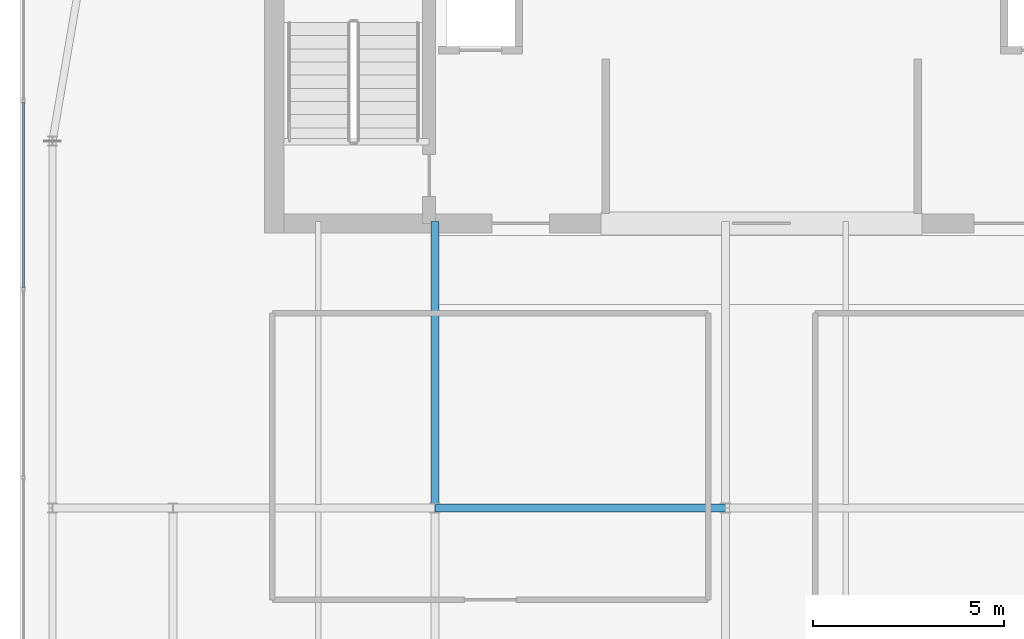
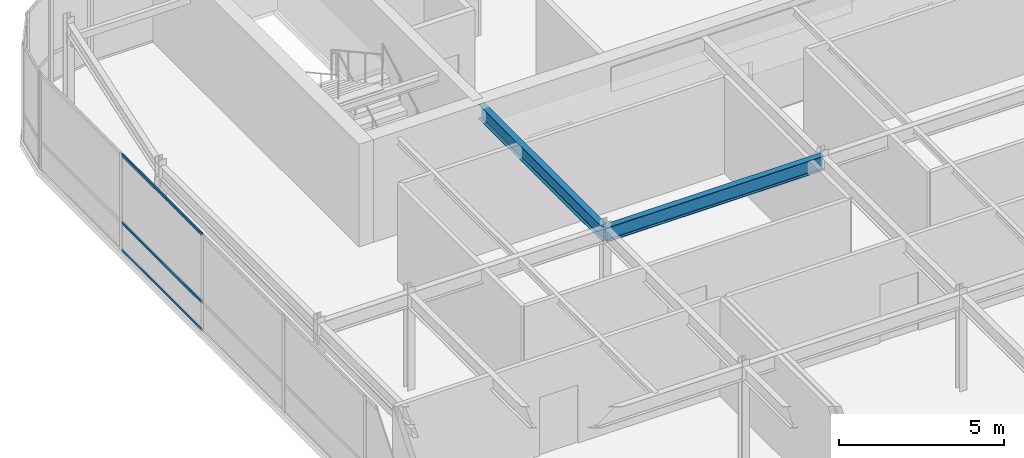
# One storey, part 18 of 36: 3 members, 2 beams, 1 element without a shape of its own.
"""IFC4 building model written with IfcOpenShell, lengths in metres."""

from ifc_helpers import new_model, si_unit, direction, frame, origin, origin_2d, place, context, subcontext, project, spatial, hollow_rectangle, i_section, extrude, source, transform, mapped, material, layer, layer_set, material_profile, profile_set, type_object, type_shapes, element, aggregate, save


model = new_model("IFC4")

# Units and contexts
model_context = context("Model", 3, precision=1e-05, world=origin(), true_north=direction((0.0, 1.0)))
body_context = subcontext(model_context, "Body", "Model", "MODEL_VIEW")
ifc_project = project(units=[si_unit("LENGTHUNIT", "METRE"), si_unit("AREAUNIT", "SQUARE_METRE"), si_unit("VOLUMEUNIT", "CUBIC_METRE"), si_unit("PLANEANGLEUNIT", "RADIAN"), si_unit("MASSUNIT", "GRAM", prefix="KILO")], contexts=[model_context])

# Site, building, storey
site_placement = place(None, origin())
site = spatial("IfcSite", under=ifc_project, at=site_placement, CompositionType="ELEMENT")
building_placement = place(site_placement, origin())
building = spatial("IfcBuilding", under=site, at=building_placement, Name="Tolvann Quenvar Hotel", CompositionType="ELEMENT")
storey_placement = place(building_placement, frame((0.0, 0.0, 302.35009765625)))
storey = spatial("IfcBuildingStorey", under=building, at=storey_placement, Name="L80", CompositionType="ELEMENT", Elevation=302.35009765625)

# Beams
ifc_material_1 = material(Name="Steel Grade 350", Category="steel")
ifc_material_profile_1 = material_profile(ifc_material_1, i_section(OverallWidth=0.208984375, OverallDepth=0.532958984375, WebThickness=0.01025390625, FlangeThickness=0.015625, FilletRadius=0.013916015625, at=origin_2d()), Name="530UB92")
ifc_profile_set_1 = profile_set([ifc_material_profile_1], Name="Steel Grade 350")
beam_type = type_object("IfcBeamType", Name="BM_GIRD_530UB92", PredefinedType="BEAM", material=ifc_profile_set_1)
shared_shape_1 = source(origin(), body_context, "Body", "SweptSolid", [
    extrude(i_section(OverallWidth=0.208984375, OverallDepth=0.532958984375, WebThickness=0.01025390625, FlangeThickness=0.015625, FilletRadius=0.013916015625, at=origin_2d()), origin(), (0.0, 0.0, 1.0), 7.60009765625),
])
beam_1_placement = place(storey_placement, frame((14.449951171875, 24.39990234375, 3.3134765625), z_axis=(1.0, 0.0, 0.0), x_axis=(0.0, 1.0, 0.0)))
element("IfcBeam", 1, at=beam_1_placement, inside=storey, type_object=beam_type, Name="BM-L80-EW-5-D5-E5", PredefinedType="BEAM", context=body_context, shape_type="MappedRepresentation", body=[
    mapped(shared_shape_1, transform((0.0, 0.0, 0.0), x_axis=(1.0, 0.0, 0.0), y_axis=(0.0, 1.0, 0.0), z_axis=(0.0, 0.0, 1.0), scale=1.0)),
])
shared_shape_2 = source(origin(), body_context, "Body", "SweptSolid", [
    extrude(i_section(OverallWidth=0.208984375, OverallDepth=0.532958984375, WebThickness=0.01025390625, FlangeThickness=0.015625, FilletRadius=0.013916015625, at=origin_2d()), origin(), (0.0, 0.0, 1.0), 7.5),
])
type_shapes(beam_type, [shared_shape_1, shared_shape_2])
beam_2_placement = place(storey_placement, frame((14.449951171875, 24.39990234375, 3.3134765625), z_axis=(0.0, 1.0, 0.0), x_axis=(-1.0, 0.0, 0.0)))
element("IfcBeam", 2, at=beam_2_placement, inside=storey, type_object=beam_type, Name="BM-L80-CORE-D5", PredefinedType="BEAM", context=body_context, shape_type="MappedRepresentation", body=[
    mapped(shared_shape_2, transform((0.0, 0.0, 0.0), x_axis=(1.0, 0.0, 0.0), y_axis=(0.0, 1.0, 0.0), z_axis=(0.0, 0.0, 1.0), scale=1.0)),
])

# Curtain wall, members
ifc_material_2 = material(Name="Thermally broken anodised architectural aluminium 6063-T6 and laminated low-E glass", Category="aluminium")
ifc_layer = layer(ifc_material_2, 0.179931640625)
ifc_layer_set = layer_set([ifc_layer], Name="Thermally broken anodised architectural aluminium 6063-T6 and laminated low-E glass")
curtain_wall_type = type_object("IfcCurtainWallType", Name="CW_SYS_LANT_06", PredefinedType="USERDEFINED", material=ifc_layer_set)
curtain_wall_placement = place(storey_placement, origin())
curtain_wall = element("IfcCurtainWall", 3, at=curtain_wall_placement, inside=storey, type_object=curtain_wall_type, Name="Curtain Wall CW-LANT-06 (CWR-L80-E19)", ObjectType="UNITISED CURTAIN WALL", PredefinedType="USERDEFINED")
ifc_material_3 = material(Name="Anodised architectural aluminium 6063-T6 framing", Category="aluminium")
ifc_material_profile_2 = material_profile(ifc_material_3, hollow_rectangle(XDim=0.050048828125, YDim=0.10009765625, WallThickness=0.0029296875, at=origin_2d()), Name="100x50x3RHS")
ifc_profile_set_2 = profile_set([ifc_material_profile_2], Name="Anodised architectural aluminium 6063-T6 framing")
member_type = type_object("IfcMemberType", Name="CW_TRAN_100x50", PredefinedType="USERDEFINED", material=ifc_profile_set_2)
shared_shape_3 = source(origin(), body_context, "Body", "SweptSolid", [
    extrude(hollow_rectangle(XDim=0.050048828125, YDim=0.10009765625, WallThickness=0.0029296875, at=origin_2d()), origin(), (0.0, 0.0, 1.0), 4.862548828125),
])
type_shapes(member_type, [shared_shape_3])
member_1_placement = place(storey_placement, frame((3.68994140625, 35.022705078125, 0.02490234375), z_axis=(0.0, -1.0, 0.0), x_axis=(1.0, 0.0, 0.0)))
member_1 = element("IfcMember", 4, at=member_1_placement, type_object=member_type, Name="CW-LANT-06 transom 2.1", ObjectType="TRANSOM", PredefinedType="USERDEFINED", context=body_context, shape_type="MappedRepresentation", body=[
    mapped(shared_shape_3, transform((0.0, 0.0, 0.0), x_axis=(1.0, 0.0, 0.0), y_axis=(0.0, 1.0, 0.0), z_axis=(0.0, 0.0, 1.0), scale=1.0)),
])
member_2_placement = place(storey_placement, frame((3.68994140625, 35.022705078125, 1.0498046875), z_axis=(0.0, -1.0, 0.0), x_axis=(1.0, 0.0, 0.0)))
member_2 = element("IfcMember", 5, at=member_2_placement, type_object=member_type, Name="CW-LANT-06 transom 2.2", ObjectType="TRANSOM", PredefinedType="USERDEFINED", context=body_context, shape_type="MappedRepresentation", body=[
    mapped(shared_shape_3, transform((0.0, 0.0, 0.0), x_axis=(1.0, 0.0, 0.0), y_axis=(0.0, 1.0, 0.0), z_axis=(0.0, 0.0, 1.0), scale=1.0)),
])
member_3_placement = place(storey_placement, frame((3.68994140625, 35.022705078125, 3.554931640625), z_axis=(0.0, -1.0, 0.0), x_axis=(1.0, 0.0, 0.0)))
member_3 = element("IfcMember", 6, at=member_3_placement, type_object=member_type, Name="CW-LANT-06 transom 2.3", ObjectType="TRANSOM", PredefinedType="USERDEFINED", context=body_context, shape_type="MappedRepresentation", body=[
    mapped(shared_shape_3, transform((0.0, 0.0, 0.0), x_axis=(1.0, 0.0, 0.0), y_axis=(0.0, 1.0, 0.0), z_axis=(0.0, 0.0, 1.0), scale=1.0)),
])
aggregate(curtain_wall, [member_1, member_2, member_3])

save(model, "model.ifc")
